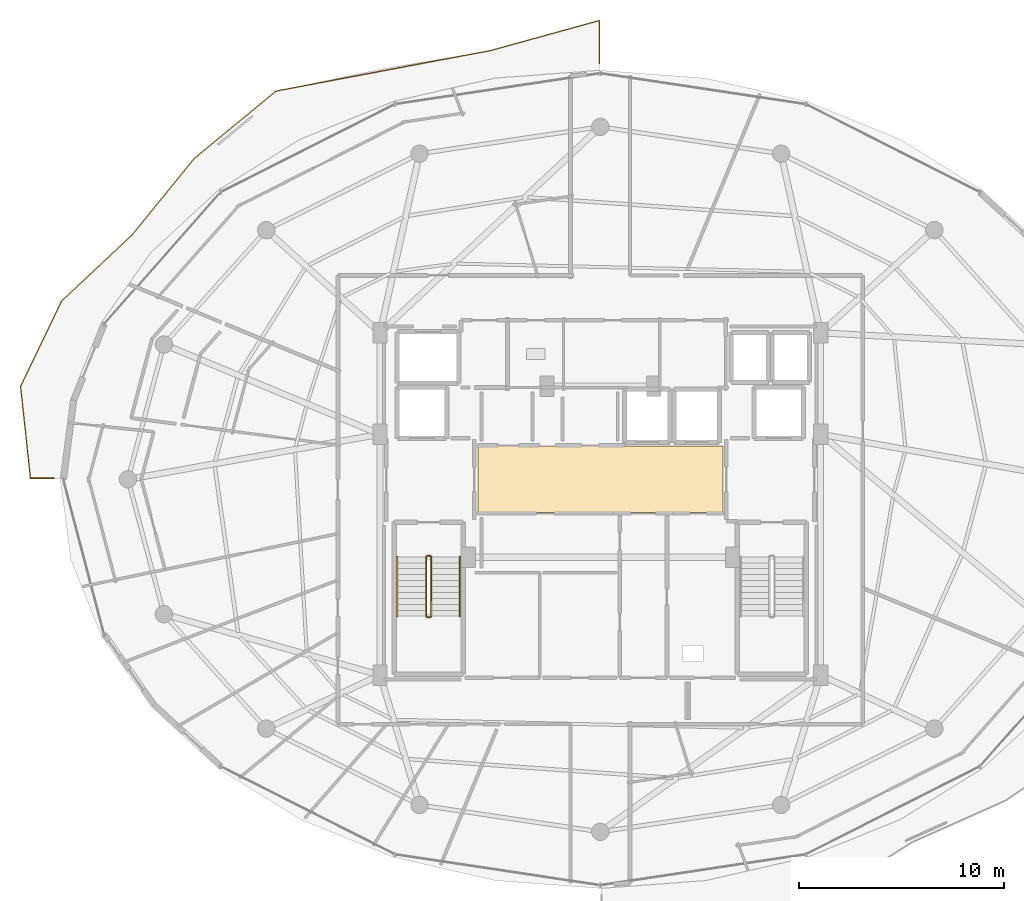
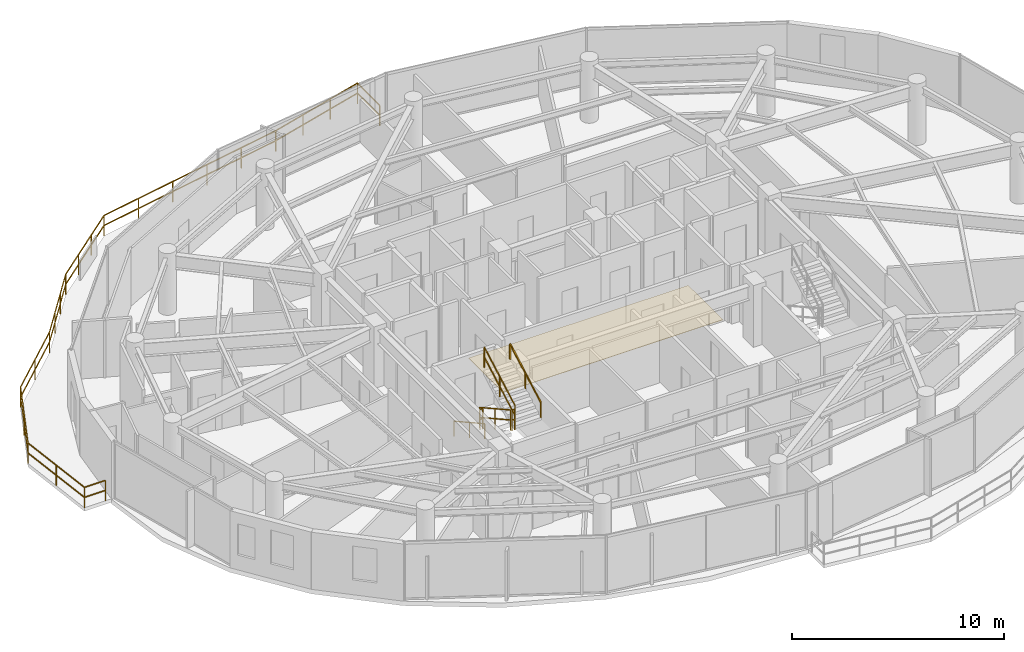
# One storey, part 27 of 30: 8 railings, 1 covering.
"""IFC4 building model written with IfcOpenShell, lengths in metres."""

from ifc_helpers import new_model, si_unit, direction, frame, origin, origin_2d, place, context, subcontext, project, spatial, polyline, rectangle, outline, extrude, material, layer, layer_set, type_object, element, save


model = new_model("IFC4")

# Units and contexts
model_context = context("Model", 3, precision=1e-05, world=origin(), true_north=direction((0.0, 1.0)))
body_context = subcontext(model_context, "Body", "Model", "MODEL_VIEW")
ifc_project = project(units=[si_unit("LENGTHUNIT", "METRE"), si_unit("AREAUNIT", "SQUARE_METRE"), si_unit("VOLUMEUNIT", "CUBIC_METRE"), si_unit("PLANEANGLEUNIT", "RADIAN"), si_unit("MASSUNIT", "GRAM", prefix="KILO")], contexts=[model_context])

# Site, building, storey
site_placement = place(None, origin())
site = spatial("IfcSite", under=ifc_project, at=site_placement, CompositionType="ELEMENT")
building_placement = place(site_placement, origin())
building = spatial("IfcBuilding", under=site, at=building_placement, Name="Vorneva Point Tower", CompositionType="ELEMENT")
storey_placement = place(building_placement, frame((0.0, 0.0, 234.25)))
storey = spatial("IfcBuildingStorey", under=building, at=storey_placement, Name="L63", CompositionType="ELEMENT", Elevation=234.25)

# Covering
ifc_material_1 = material(Name="Acoustic wool hospitality carpet", Category="textile")
ifc_layer = layer(ifc_material_1, 0.01806640625)
ifc_layer_set = layer_set([ifc_layer], Name="Acoustic wool hospitality carpet")
covering_type = type_object("IfcCoveringType", Name="COV-FLR-CRP", PredefinedType="FLOORING", material=ifc_layer_set)
covering_placement = place(storey_placement, frame((0.0, 0.0, -0.0048828125)))
element("IfcCovering", 1, at=covering_placement, inside=storey, type_object=covering_type, Name="L63 Lift Lobby Floor Finish", PredefinedType="FLOORING", context=body_context, shape_type="SweptSolid", body=[
    extrude(outline(polyline([(32.02001953125, 24.3701171875), (43.97998046875, 24.3701171875), (43.97998046875, 27.6298828125), (32.02001953125, 27.6298828125), (32.02001953125, 24.3701171875)])), origin(), (0.0, 0.0, 1.0), 0.02294921875),
])

# Railings
ifc_material_2 = material(Name="Pale anodised aluminium", Category="aluminium")
railing_type_1 = type_object("IfcRailingType", Name="RL-BAL-1200", PredefinedType="BALUSTRADE", material=ifc_material_2)
railing_1_placement = place(storey_placement, frame((10.189697265625, 26.050048828125, 0.0)))
element("IfcRailing", 2, at=railing_1_placement, inside=storey, type_object=railing_type_1, Name="L63 Wave Balcony Balustrade NW.1", PredefinedType="BALUSTRADE", context=body_context, shape_type="SweptSolid", body=[
    extrude(rectangle(XDim=0.048095703125, YDim=0.048095703125, at=origin_2d()), frame((0.0, 0.0, 1.17578125), z_axis=(1.0, 0.0, 0.0), x_axis=(0.0, 1.0, 0.0)), (0.0, 0.0, 1.0), 1.14404296875),
    extrude(rectangle(XDim=0.048095703125, YDim=0.048095703125, at=origin_2d()), frame((0.0, 0.0, 0.60009765625), z_axis=(1.0, 0.0, 0.0), x_axis=(0.0, 1.0, 0.0)), (0.0, 0.0, 1.0), 1.14404296875),
    extrude(rectangle(XDim=0.0419921875, YDim=0.0419921875, at=origin_2d()), origin(), (0.0, 0.0, 1.0), 1.15185546875),
    extrude(rectangle(XDim=0.0419921875, YDim=0.0419921875, at=origin_2d()), frame((1.14404296875, 0.0, 0.0)), (0.0, 0.0, 1.0), 1.15185546875),
])
railing_2_placement = place(storey_placement, frame((37.949951171875, 46.277099609375, 0.0)))
element("IfcRailing", 3, at=railing_2_placement, inside=storey, type_object=railing_type_1, Name="L63 Wave Balcony Balustrade NW.2", PredefinedType="BALUSTRADE", context=body_context, shape_type="SweptSolid", body=[
    extrude(rectangle(XDim=0.048095703125, YDim=0.048095703125, at=origin_2d()), frame((0.0, 0.0, 1.17578125), z_axis=(0.0, 1.0, 0.0), x_axis=(-1.0, 0.0, 0.0)), (0.0, 0.0, 1.0), 2.114013671875),
    extrude(rectangle(XDim=0.048095703125, YDim=0.048095703125, at=origin_2d()), frame((0.0, 0.0, 0.60009765625), z_axis=(0.0, 1.0, 0.0), x_axis=(-1.0, 0.0, 0.0)), (0.0, 0.0, 1.0), 2.114013671875),
    extrude(rectangle(XDim=0.048095703125, YDim=0.048095703125, at=origin_2d()), frame((0.0, 2.114013671875, 1.17578125), z_axis=(-0.963928150656, -0.266162582594, 0.0), x_axis=(0.266162582594, -0.963928150656, 0.0)), (0.0, 0.0, 1.0), 5.49267578125),
    extrude(rectangle(XDim=0.048095703125, YDim=0.048095703125, at=origin_2d()), frame((0.0, 2.114013671875, 0.60009765625), z_axis=(-0.963928150656, -0.266162582594, 0.0), x_axis=(0.266162582594, -0.963928150656, 0.0)), (0.0, 0.0, 1.0), 5.49267578125),
    extrude(rectangle(XDim=0.048095703125, YDim=0.048095703125, at=origin_2d()), frame((-5.29443359375, 0.652099609375, 1.17578125), z_axis=(-0.982621597908, -0.185620029427, 0.0), x_axis=(0.185620029427, -0.982621597908, 0.0)), (0.0, 0.0, 1.0), 10.6708984375),
    extrude(rectangle(XDim=0.048095703125, YDim=0.048095703125, at=origin_2d()), frame((-5.29443359375, 0.652099609375, 0.60009765625), z_axis=(-0.982621597908, -0.185620029427, 0.0), x_axis=(0.185620029427, -0.982621597908, 0.0)), (0.0, 0.0, 1.0), 10.6708984375),
    extrude(rectangle(XDim=0.048095703125, YDim=0.048095703125, at=origin_2d()), frame((-15.77978515625, -1.32861328125, 1.17578125), z_axis=(-0.771678755272, -0.636012498825, 0.0), x_axis=(0.636012498825, -0.771678755272, 0.0)), (0.0, 0.0, 1.0), 5.157470703125),
    extrude(rectangle(XDim=0.048095703125, YDim=0.048095703125, at=origin_2d()), frame((-15.77978515625, -1.32861328125, 0.60009765625), z_axis=(-0.771678755272, -0.636012498825, 0.0), x_axis=(0.636012498825, -0.771678755272, 0.0)), (0.0, 0.0, 1.0), 5.157470703125),
    extrude(rectangle(XDim=0.048095703125, YDim=0.048095703125, at=origin_2d()), frame((-19.759765625, -4.60888671875, 1.17578125), z_axis=(-0.631285549874, -0.77555048483, 0.0), x_axis=(0.77555048483, -0.631285549874, 0.0)), (0.0, 0.0, 1.0), 4.826416015625),
    extrude(rectangle(XDim=0.048095703125, YDim=0.048095703125, at=origin_2d()), frame((-19.759765625, -4.60888671875, 0.60009765625), z_axis=(-0.631285549874, -0.77555048483, 0.0), x_axis=(0.77555048483, -0.631285549874, 0.0)), (0.0, 0.0, 1.0), 4.826416015625),
    extrude(rectangle(XDim=0.048095703125, YDim=0.048095703125, at=origin_2d()), frame((-22.806640625, -8.35205078125, 1.17578125), z_axis=(-0.729149057103, -0.684354917076, 0.0), x_axis=(0.684354917076, -0.729149057103, 0.0)), (0.0, 0.0, 1.0), 4.708984375),
    extrude(rectangle(XDim=0.048095703125, YDim=0.048095703125, at=origin_2d()), frame((-22.806640625, -8.35205078125, 0.60009765625), z_axis=(-0.729149057103, -0.684354917076, 0.0), x_axis=(0.684354917076, -0.729149057103, 0.0)), (0.0, 0.0, 1.0), 4.708984375),
    extrude(rectangle(XDim=0.048095703125, YDim=0.048095703125, at=origin_2d()), frame((-26.240234375, -11.57470703125, 1.17578125), z_axis=(-0.433277106533, -0.90126075525, 0.0), x_axis=(0.90126075525, -0.433277106533, 0.0)), (0.0, 0.0, 1.0), 4.62158203125),
    extrude(rectangle(XDim=0.048095703125, YDim=0.048095703125, at=origin_2d()), frame((-26.240234375, -11.57470703125, 0.60009765625), z_axis=(-0.433277106533, -0.90126075525, 0.0), x_axis=(0.90126075525, -0.433277106533, 0.0)), (0.0, 0.0, 1.0), 4.62158203125),
    extrude(rectangle(XDim=0.048095703125, YDim=0.048095703125, at=origin_2d()), frame((-28.24267578125, -15.739990234375, 1.17578125), z_axis=(0.106897954968, -0.994269997145, 0.0), x_axis=(0.994269997145, 0.106897954968, 0.0)), (0.0, 0.0, 1.0), 4.512939453125),
    extrude(rectangle(XDim=0.048095703125, YDim=0.048095703125, at=origin_2d()), frame((-28.24267578125, -15.739990234375, 0.60009765625), z_axis=(0.106897954968, -0.994269997145, 0.0), x_axis=(0.994269997145, 0.106897954968, 0.0)), (0.0, 0.0, 1.0), 4.512939453125),
    extrude(rectangle(XDim=0.0419921875, YDim=0.0419921875, at=origin_2d()), origin(), (0.0, 0.0, 1.0), 1.15185546875),
    extrude(rectangle(XDim=0.0419921875, YDim=0.0419921875, at=origin_2d()), frame((0.0, 2.114013671875, 0.0)), (0.0, 0.0, 1.0), 1.15185546875),
    extrude(rectangle(XDim=0.0419921875, YDim=0.0419921875, at=origin_2d()), frame((-1.764892578125, 1.626708984375, 0.0)), (0.0, 0.0, 1.0), 1.15185546875),
    extrude(rectangle(XDim=0.0419921875, YDim=0.0419921875, at=origin_2d()), frame((-3.529541015625, 1.139404296875, 0.0)), (0.0, 0.0, 1.0), 1.15185546875),
    extrude(rectangle(XDim=0.0419921875, YDim=0.0419921875, at=origin_2d()), frame((-5.29443359375, 0.652099609375, 0.0)), (0.0, 0.0, 1.0), 1.15185546875),
    extrude(rectangle(XDim=0.0419921875, YDim=0.0419921875, at=origin_2d()), frame((-7.3916015625, 0.255859375, 0.0)), (0.0, 0.0, 1.0), 1.15185546875),
    extrude(rectangle(XDim=0.0419921875, YDim=0.0419921875, at=origin_2d()), frame((-9.488525390625, -0.14013671875, 0.0)), (0.0, 0.0, 1.0), 1.15185546875),
    extrude(rectangle(XDim=0.0419921875, YDim=0.0419921875, at=origin_2d()), frame((-11.585693359375, -0.536376953125, 0.0)), (0.0, 0.0, 1.0), 1.15185546875),
    extrude(rectangle(XDim=0.0419921875, YDim=0.0419921875, at=origin_2d()), frame((-13.6826171875, -0.932373046875, 0.0)), (0.0, 0.0, 1.0), 1.15185546875),
    extrude(rectangle(XDim=0.0419921875, YDim=0.0419921875, at=origin_2d()), frame((-15.77978515625, -1.32861328125, 0.0)), (0.0, 0.0, 1.0), 1.15185546875),
    extrude(rectangle(XDim=0.0419921875, YDim=0.0419921875, at=origin_2d()), frame((-17.1064453125, -2.422119140625, 0.0)), (0.0, 0.0, 1.0), 1.15185546875),
    extrude(rectangle(XDim=0.0419921875, YDim=0.0419921875, at=origin_2d()), frame((-18.43310546875, -3.515380859375, 0.0)), (0.0, 0.0, 1.0), 1.15185546875),
    extrude(rectangle(XDim=0.0419921875, YDim=0.0419921875, at=origin_2d()), frame((-19.759765625, -4.60888671875, 0.0)), (0.0, 0.0, 1.0), 1.15185546875),
    extrude(rectangle(XDim=0.0419921875, YDim=0.0419921875, at=origin_2d()), frame((-20.775390625, -5.856689453125, 0.0)), (0.0, 0.0, 1.0), 1.15185546875),
    extrude(rectangle(XDim=0.0419921875, YDim=0.0419921875, at=origin_2d()), frame((-21.791015625, -7.104248046875, 0.0)), (0.0, 0.0, 1.0), 1.15185546875),
    extrude(rectangle(XDim=0.0419921875, YDim=0.0419921875, at=origin_2d()), frame((-22.806640625, -8.35205078125, 0.0)), (0.0, 0.0, 1.0), 1.15185546875),
    extrude(rectangle(XDim=0.0419921875, YDim=0.0419921875, at=origin_2d()), frame((-24.5234375, -9.96337890625, 0.0)), (0.0, 0.0, 1.0), 1.15185546875),
    extrude(rectangle(XDim=0.0419921875, YDim=0.0419921875, at=origin_2d()), frame((-26.240234375, -11.57470703125, 0.0)), (0.0, 0.0, 1.0), 1.15185546875),
    extrude(rectangle(XDim=0.0419921875, YDim=0.0419921875, at=origin_2d()), frame((-27.241455078125, -13.6572265625, 0.0)), (0.0, 0.0, 1.0), 1.15185546875),
    extrude(rectangle(XDim=0.0419921875, YDim=0.0419921875, at=origin_2d()), frame((-28.24267578125, -15.739990234375, 0.0)), (0.0, 0.0, 1.0), 1.15185546875),
    extrude(rectangle(XDim=0.0419921875, YDim=0.0419921875, at=origin_2d()), frame((-28.00146484375, -17.9833984375, 0.0)), (0.0, 0.0, 1.0), 1.15185546875),
    extrude(rectangle(XDim=0.0419921875, YDim=0.0419921875, at=origin_2d()), frame((-27.76025390625, -20.22705078125, 0.0)), (0.0, 0.0, 1.0), 1.15185546875),
])
ifc_material_3 = material(Name="Brushed stainless steel S304", Category="steel")
railing_type_2 = type_object("IfcRailingType", Name="RL-HND-920", PredefinedType="HANDRAIL", material=ifc_material_3)
railing_3_placement = place(storey_placement, frame((28.10009765625, 22.219970703125, 0.161376953125)))
element("IfcRailing", 4, at=railing_3_placement, inside=storey, type_object=railing_type_2, Name="L63 ST1 stair handrail 1", PredefinedType="HANDRAIL", context=body_context, shape_type="SweptSolid", body=[
    extrude(rectangle(XDim=0.048095703125, YDim=0.048095703125, at=origin_2d()), frame((0.0, 0.0, 0.8759765625), z_axis=(0.0, -0.873841303929, 0.486211245805), x_axis=(1.0, 0.0, 0.0)), (0.0, 0.0, 1.0), 3.318603515625),
    extrude(rectangle(XDim=0.0419921875, YDim=0.0419921875, at=origin_2d()), origin(), (0.0, 0.0, 1.0), 0.851806640625),
    extrude(rectangle(XDim=0.0419921875, YDim=0.0419921875, at=origin_2d()), frame((0.0, -1.449951171875, 0.806640625)), (0.0, 0.0, 1.0), 0.851806640625),
    extrude(rectangle(XDim=0.0419921875, YDim=0.0419921875, at=origin_2d()), frame((0.0, -2.89990234375, 1.613525390625)), (0.0, 0.0, 1.0), 0.851806640625),
])
railing_4_placement = place(storey_placement, frame((31.14990234375, 19.320068359375, 1.936279296875)))
element("IfcRailing", 5, at=railing_4_placement, inside=storey, type_object=railing_type_2, Name="L63 ST1 stair handrail 2", PredefinedType="HANDRAIL", context=body_context, shape_type="SweptSolid", body=[
    extrude(rectangle(XDim=0.048095703125, YDim=0.048095703125, at=origin_2d()), frame((0.0, 0.0, 0.8759765625), z_axis=(0.0, 0.873810046276, 0.486267419253), x_axis=(-1.0, 0.0, 0.0)), (0.0, 0.0, 1.0), 3.318603515625),
    extrude(rectangle(XDim=0.0419921875, YDim=0.0419921875, at=origin_2d()), origin(), (0.0, 0.0, 1.0), 0.851806640625),
    extrude(rectangle(XDim=0.0419921875, YDim=0.0419921875, at=origin_2d()), frame((0.0, 1.449951171875, 0.806884765625)), (0.0, 0.0, 1.0), 0.851806640625),
    extrude(rectangle(XDim=0.0419921875, YDim=0.0419921875, at=origin_2d()), frame((0.0, 2.89990234375, 1.61376953125)), (0.0, 0.0, 1.0), 0.851806640625),
])
railing_type_3 = type_object("IfcRailingType", Name="RL-STG-1100", PredefinedType="GUARDRAIL", material=ifc_material_3)
railing_5_placement = place(storey_placement, frame((29.5, 22.219970703125, 0.161376953125)))
element("IfcRailing", 6, at=railing_5_placement, inside=storey, type_object=railing_type_3, Name="L63 ST1 stair guard 1", PredefinedType="GUARDRAIL", context=body_context, shape_type="SweptSolid", body=[
    extrude(rectangle(XDim=0.048095703125, YDim=0.048095703125, at=origin_2d()), frame((0.0, 0.0, 1.17578125), z_axis=(0.0, -0.873841303929, 0.486211245805), x_axis=(1.0, 0.0, 0.0)), (0.0, 0.0, 1.0), 3.318603515625),
    extrude(rectangle(XDim=0.048095703125, YDim=0.048095703125, at=origin_2d()), frame((0.0, 0.0, 0.60009765625), z_axis=(0.0, -0.873841303929, 0.486211245805), x_axis=(1.0, 0.0, 0.0)), (0.0, 0.0, 1.0), 3.318603515625),
    extrude(rectangle(XDim=0.0419921875, YDim=0.0419921875, at=origin_2d()), origin(), (0.0, 0.0, 1.0), 1.15185546875),
    extrude(rectangle(XDim=0.0419921875, YDim=0.0419921875, at=origin_2d()), frame((0.0, -1.449951171875, 0.806640625)), (0.0, 0.0, 1.0), 1.15185546875),
    extrude(rectangle(XDim=0.0419921875, YDim=0.0419921875, at=origin_2d()), frame((0.0, -2.89990234375, 1.613525390625)), (0.0, 0.0, 1.0), 1.15185546875),
])
railing_6_placement = place(storey_placement, frame((29.550048828125, 19.27001953125, 1.77490234375)))
element("IfcRailing", 7, at=railing_6_placement, inside=storey, type_object=railing_type_3, Name="L63 ST1 stair guard 2", PredefinedType="GUARDRAIL", context=body_context, shape_type="SweptSolid", body=[
    extrude(rectangle(XDim=0.048095703125, YDim=0.048095703125, at=origin_2d()), frame((0.0, 0.0, 1.17578125), z_axis=(1.0, 0.0, 0.0), x_axis=(0.0, 1.0, 0.0)), (0.0, 0.0, 1.0), 0.14990234375),
    extrude(rectangle(XDim=0.048095703125, YDim=0.048095703125, at=origin_2d()), frame((0.0, 0.0, 0.60009765625), z_axis=(1.0, 0.0, 0.0), x_axis=(0.0, 1.0, 0.0)), (0.0, 0.0, 1.0), 0.14990234375),
    extrude(rectangle(XDim=0.0419921875, YDim=0.0419921875, at=origin_2d()), origin(), (0.0, 0.0, 1.0), 1.15185546875),
    extrude(rectangle(XDim=0.0419921875, YDim=0.0419921875, at=origin_2d()), frame((0.14990234375, 0.0, 0.0)), (0.0, 0.0, 1.0), 1.15185546875),
])
railing_7_placement = place(storey_placement, frame((29.75, 19.320068359375, 1.936279296875)))
element("IfcRailing", 8, at=railing_7_placement, inside=storey, type_object=railing_type_3, Name="L63 ST1 stair guard 3", PredefinedType="GUARDRAIL", context=body_context, shape_type="SweptSolid", body=[
    extrude(rectangle(XDim=0.048095703125, YDim=0.048095703125, at=origin_2d()), frame((0.0, 0.0, 1.17578125), z_axis=(0.0, 0.873810046276, 0.486267419253), x_axis=(-1.0, 0.0, 0.0)), (0.0, 0.0, 1.0), 3.318603515625),
    extrude(rectangle(XDim=0.048095703125, YDim=0.048095703125, at=origin_2d()), frame((0.0, 0.0, 0.60009765625), z_axis=(0.0, 0.873810046276, 0.486267419253), x_axis=(-1.0, 0.0, 0.0)), (0.0, 0.0, 1.0), 3.318603515625),
    extrude(rectangle(XDim=0.0419921875, YDim=0.0419921875, at=origin_2d()), origin(), (0.0, 0.0, 1.0), 1.15185546875),
    extrude(rectangle(XDim=0.0419921875, YDim=0.0419921875, at=origin_2d()), frame((0.0, 1.449951171875, 0.806884765625)), (0.0, 0.0, 1.0), 1.15185546875),
    extrude(rectangle(XDim=0.0419921875, YDim=0.0419921875, at=origin_2d()), frame((0.0, 2.89990234375, 1.61376953125)), (0.0, 0.0, 1.0), 1.15185546875),
])
railing_8_placement = place(storey_placement, frame((29.550048828125, 22.27001953125, 0.0)))
element("IfcRailing", 9, at=railing_8_placement, inside=storey, type_object=railing_type_3, Name="L63 ST1 stair guard 4", PredefinedType="GUARDRAIL", context=body_context, shape_type="SweptSolid", body=[
    extrude(rectangle(XDim=0.048095703125, YDim=0.048095703125, at=origin_2d()), frame((0.0, 0.0, 1.17578125), z_axis=(1.0, 0.0, 0.0), x_axis=(0.0, 1.0, 0.0)), (0.0, 0.0, 1.0), 0.14990234375),
    extrude(rectangle(XDim=0.048095703125, YDim=0.048095703125, at=origin_2d()), frame((0.0, 0.0, 0.60009765625), z_axis=(1.0, 0.0, 0.0), x_axis=(0.0, 1.0, 0.0)), (0.0, 0.0, 1.0), 0.14990234375),
    extrude(rectangle(XDim=0.0419921875, YDim=0.0419921875, at=origin_2d()), origin(), (0.0, 0.0, 1.0), 1.15185546875),
    extrude(rectangle(XDim=0.0419921875, YDim=0.0419921875, at=origin_2d()), frame((0.14990234375, 0.0, 0.0)), (0.0, 0.0, 1.0), 1.15185546875),
])

save(model, "model.ifc")
